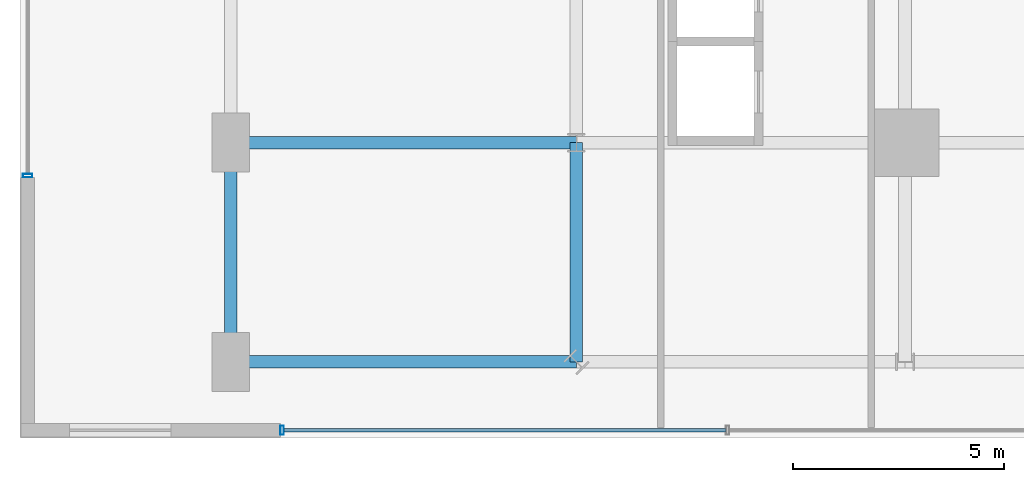
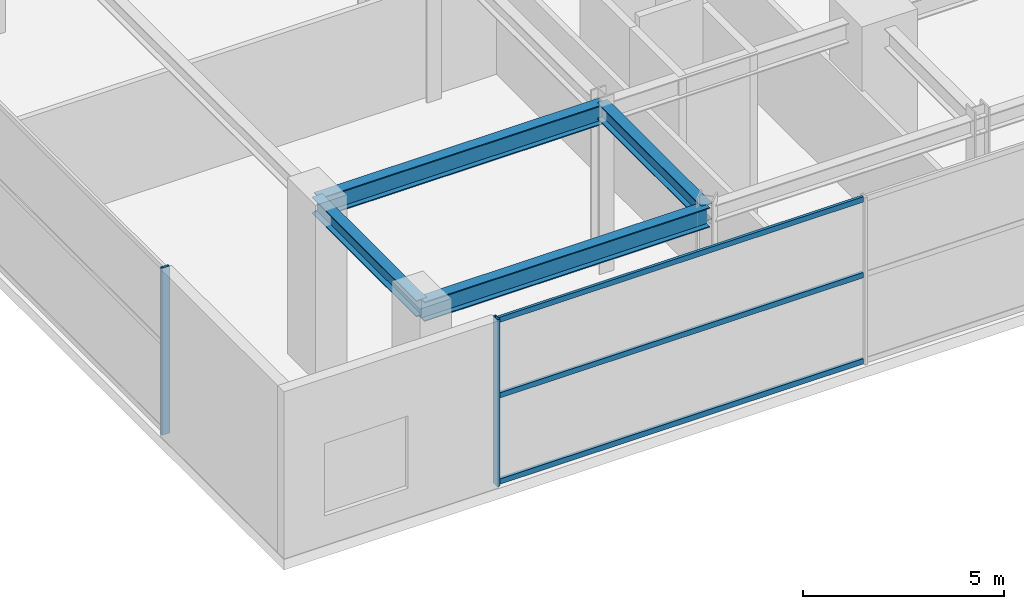
# One storey, part 4 of 32: 5 members, 4 beams, 2 elements without a shape of their own.
"""IFC4 building model written with IfcOpenShell, lengths in metres."""

from ifc_helpers import new_model, si_unit, direction, frame, origin, origin_2d, place, context, subcontext, project, spatial, hollow_rectangle, i_section, extrude, source, transform, mapped, material, material_profile, profile_set, type_object, element, aggregate, save


model = new_model("IFC4")

# Units and contexts
model_context = context("Model", 3, precision=1e-05, world=origin(), true_north=direction((0.0, 1.0)))
body_context = subcontext(model_context, "Body", "Model", "MODEL_VIEW")
ifc_project = project(units=[si_unit("LENGTHUNIT", "METRE"), si_unit("AREAUNIT", "SQUARE_METRE"), si_unit("VOLUMEUNIT", "CUBIC_METRE"), si_unit("PLANEANGLEUNIT", "RADIAN"), si_unit("MASSUNIT", "GRAM", prefix="KILO")], contexts=[model_context])

# Site, building, storey
site_placement = place(None, origin())
site = spatial("IfcSite", under=ifc_project, at=site_placement, CompositionType="ELEMENT")
building_placement = place(site_placement, origin())
building = spatial("IfcBuilding", under=site, at=building_placement, Name="Nahalor Promenade Grand Hotel", CompositionType="ELEMENT")
storey_placement = place(building_placement, frame((0.0, 0.0, 5.39990234375)))
storey = spatial("IfcBuildingStorey", under=building, at=storey_placement, Name="L01", CompositionType="ELEMENT", Elevation=5.39990234375)

# Beams
ifc_material_1 = material(Name="Steel S355JR", Category="steel")
ifc_material_profile_1 = material_profile(ifc_material_1, i_section(OverallWidth=0.3, OverallDepth=0.6, WebThickness=0.0155, FlangeThickness=0.03, at=origin_2d()), Name="HEB 600")
ifc_profile_set_1 = profile_set([ifc_material_profile_1], Name="Steel S355JR")
beam_type_1 = type_object("IfcBeamType", Name="Beam-Girder-HEB600", PredefinedType="BEAM", material=ifc_profile_set_1)
shared_shape_1 = source(origin(), body_context, "Body", "SweptSolid", [
    extrude(i_section(OverallWidth=0.3, OverallDepth=0.6, WebThickness=0.0155, FlangeThickness=0.03, at=origin_2d()), origin(), (0.0, 0.0, 1.0), 8.199951171875),
])
for number, where, z_axis, x_axis, name in (
    (1, (-33.0, -17.0, 4.780029296875), (1.0, 0.0, 0.0), (0.0, 1.0, 0.0), "BM-L01-GX-0-0"),
    (2, (-24.800048828125, -22.199951171875, 4.780029296875), (-1.0, 0.0, 0.0), (0.0, -1.0, 0.0), "BM-L01-TIE-PW--22"),
):
    element("IfcBeam", number, at=place(storey_placement, frame(where, z_axis=z_axis, x_axis=x_axis)), inside=storey, type_object=beam_type_1, Name=name, PredefinedType="BEAM", context=body_context, shape_type="MappedRepresentation", body=[
        mapped(shared_shape_1, transform((0.0, 0.0, 0.0), scale=1.0)),
    ])
ifc_material_profile_2 = material_profile(ifc_material_1, i_section(OverallWidth=0.3, OverallDepth=0.5, WebThickness=0.0145, FlangeThickness=0.028, at=origin_2d()), Name="HEB 500")
ifc_profile_set_2 = profile_set([ifc_material_profile_2], Name="Steel S355JR")
beam_type_2 = type_object("IfcBeamType", Name="Beam-Spandrel-HEB500", PredefinedType="SPANDREL", material=ifc_profile_set_2)
shared_shape_2 = source(origin(), body_context, "Body", "SweptSolid", [
    extrude(i_section(OverallWidth=0.3, OverallDepth=0.5, WebThickness=0.0145, FlangeThickness=0.028, at=origin_2d()), origin(), (0.0, 0.0, 1.0), 5.199951171875),
])
for number, where, z_axis, x_axis, name in (
    (3, (-24.800048828125, -22.199951171875, 4.830078125), (0.0, 1.0, 0.0), (-1.0, 0.0, 0.0), "BM-L01-SPC-SW-2"),
    (4, (-33.0, -22.199951171875, 4.830078125), (0.0, 1.0, 0.0), (-1.0, 0.0, 0.0), "BM-L01-PW-0"),
):
    element("IfcBeam", number, at=place(storey_placement, frame(where, z_axis=z_axis, x_axis=x_axis)), inside=storey, type_object=beam_type_2, Name=name, PredefinedType="SPANDREL", context=body_context, shape_type="MappedRepresentation", body=[
        mapped(shared_shape_2, transform((0.0, 0.0, 0.0), scale=1.0)),
    ])

# Curtain wall, member
ifc_material_2 = material(Name="Anodised Bronze Aluminium EN AW-6063 T6", Category="aluminium")
curtain_wall_type = type_object("IfcCurtainWallType", Name="CW1 Waterfront Podium Bronze Arcade Curtain Wall", PredefinedType="USERDEFINED", material=ifc_material_2)
curtain_wall_1_placement = place(storey_placement, origin())
curtain_wall_1 = element("IfcCurtainWall", 5, at=curtain_wall_1_placement, inside=storey, type_object=curtain_wall_type, Name="L01 Curtain Wall CW-L01-S", ObjectType="UNITISED_CURTAIN_WALL", PredefinedType="USERDEFINED")
ifc_material_profile_3 = material_profile(ifc_material_2, hollow_rectangle(XDim=0.08, YDim=0.22, WallThickness=0.005, at=origin_2d()), Name="CWM 80x220x5")
ifc_profile_set_3 = profile_set([ifc_material_profile_3], Name="Anodised Bronze Aluminium EN AW-6063 T6")
member_type_1 = type_object("IfcMemberType", Name="CWM1 Podium Bronze Mullion 80x220", PredefinedType="MULLION", material=ifc_profile_set_3)
shared_shape_3 = source(origin(), body_context, "Body", "SweptSolid", [
    extrude(hollow_rectangle(XDim=0.08, YDim=0.22, WallThickness=0.005, at=origin_2d()), origin(), (0.0, 0.0, 1.0), 5.080078125),
])
member_1_placement = place(storey_placement, frame((-31.780029296875, -23.820068359375, 0.0), z_axis=(0.0, 0.0, 1.0), x_axis=(1.0, 0.0, 0.0)))
member_1 = element("IfcMember", 6, at=member_1_placement, type_object=member_type_1, Name="CW-L01-S Mullion 0", PredefinedType="MULLION", context=body_context, shape_type="MappedRepresentation", body=[
    mapped(shared_shape_3, transform((0.0, 0.0, 0.0), scale=1.0)),
])

curtain_wall_2_placement = place(storey_placement, origin())
curtain_wall_2 = element("IfcCurtainWall", 7, at=curtain_wall_2_placement, inside=storey, type_object=curtain_wall_type, Name="L01 Curtain Wall CW-L01-W", ObjectType="UNITISED_CURTAIN_WALL", PredefinedType="USERDEFINED")
member_2_placement = place(storey_placement, frame((-37.820068359375, -17.780029296875, 0.0), z_axis=(0.0, 0.0, 1.0), x_axis=(0.0, 1.0, 0.0)))
member_2 = element("IfcMember", 8, at=member_2_placement, type_object=member_type_1, Name="CW-L01-W Mullion 0", PredefinedType="MULLION", context=body_context, shape_type="MappedRepresentation", body=[
    mapped(shared_shape_3, transform((0.0, 0.0, 0.0), scale=1.0)),
])
aggregate(curtain_wall_2, [member_2])

# Member
ifc_material_profile_4 = material_profile(ifc_material_2, hollow_rectangle(XDim=0.08, YDim=0.16, WallThickness=0.004, at=origin_2d()), Name="CWT 80x160x4")
ifc_profile_set_4 = profile_set([ifc_material_profile_4], Name="Anodised Bronze Aluminium EN AW-6063 T6")
member_type_2 = type_object("IfcMemberType", Name="CWT1 Podium Bronze Transom 80x160", PredefinedType="USERDEFINED", material=ifc_profile_set_4)
shared_shape_4 = source(origin(), body_context, "Body", "SweptSolid", [
    extrude(hollow_rectangle(XDim=0.08, YDim=0.16, WallThickness=0.004, at=origin_2d()), origin(), (0.0, 0.0, 1.0), 10.486572265625),
])
member_3_placement = place(storey_placement, frame((-31.739990234375, -23.820068359375, 0.080078125), z_axis=(1.0, 0.0, 0.0), x_axis=(0.0, 1.0, 0.0)))
member_3 = element("IfcMember", 9, at=member_3_placement, type_object=member_type_2, Name="CW-L01-S Transom 0-0", ObjectType="TRANSOM", PredefinedType="USERDEFINED", context=body_context, shape_type="MappedRepresentation", body=[
    mapped(shared_shape_4, transform((0.0, 0.0, 0.0), scale=1.0)),
])

member_4_placement = place(storey_placement, frame((-31.739990234375, -23.820068359375, 2.7001953125), z_axis=(1.0, 0.0, 0.0), x_axis=(0.0, 1.0, 0.0)))
member_4 = element("IfcMember", 10, at=member_4_placement, type_object=member_type_2, Name="CW-L01-S Transom 0-1", ObjectType="TRANSOM", PredefinedType="USERDEFINED", context=body_context, shape_type="MappedRepresentation", body=[
    mapped(shared_shape_4, transform((0.0, 0.0, 0.0), scale=1.0)),
])

member_5_placement = place(storey_placement, frame((-31.739990234375, -23.820068359375, 5.0), z_axis=(1.0, 0.0, 0.0), x_axis=(0.0, 1.0, 0.0)))
member_5 = element("IfcMember", 11, at=member_5_placement, type_object=member_type_2, Name="CW-L01-S Transom 0-2", ObjectType="TRANSOM", PredefinedType="USERDEFINED", context=body_context, shape_type="MappedRepresentation", body=[
    mapped(shared_shape_4, transform((0.0, 0.0, 0.0), scale=1.0)),
])

aggregate(curtain_wall_1, [member_1, member_3, member_4, member_5])

save(model, "model.ifc")
